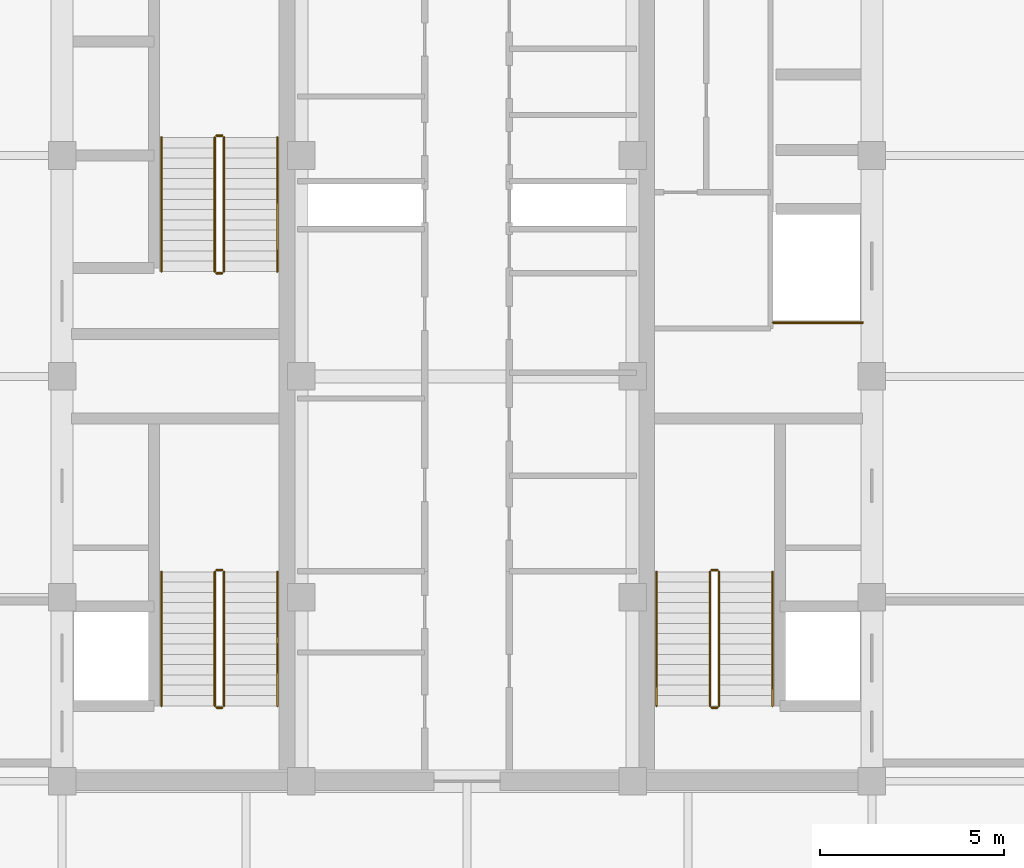
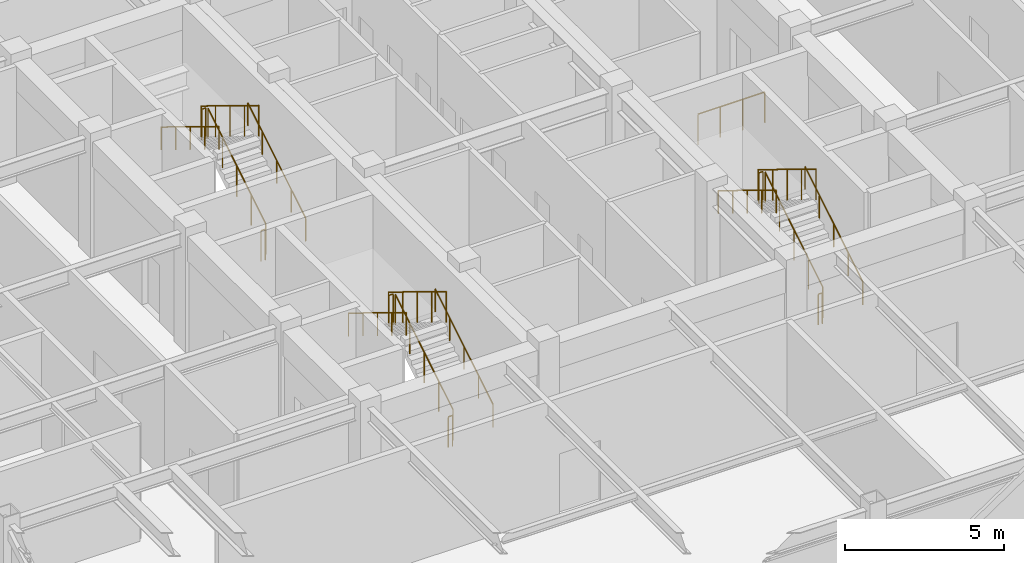
# One storey, part 27 of 27: 19 railings.
"""IFC4 building model written with IfcOpenShell, lengths in metres."""

from ifc_helpers import new_model, si_unit, direction, frame, origin, origin_2d, place, context, subcontext, project, spatial, circle, extrude, source, transform, mapped, material, type_object, element, save


model = new_model("IFC4")

# Units and contexts
model_context = context("Model", 3, precision=1e-05, world=origin(), true_north=direction((0.0, 1.0)))
body_context = subcontext(model_context, "Body", "Model", "MODEL_VIEW")
ifc_project = project(units=[si_unit("LENGTHUNIT", "METRE"), si_unit("AREAUNIT", "SQUARE_METRE"), si_unit("VOLUMEUNIT", "CUBIC_METRE"), si_unit("PLANEANGLEUNIT", "RADIAN"), si_unit("MASSUNIT", "GRAM", prefix="KILO")], contexts=[model_context])

# Site, building, storey
site_placement = place(None, origin())
site = spatial("IfcSite", under=ifc_project, at=site_placement, CompositionType="ELEMENT")
building_placement = place(site_placement, origin())
building = spatial("IfcBuilding", under=site, at=building_placement, Name="Khorayat Bourse Tower", CompositionType="ELEMENT")
storey_placement = place(building_placement, frame((0.0, 0.0, 394.699951171875)))
storey = spatial("IfcBuildingStorey", under=building, at=storey_placement, Name="L93", CompositionType="ELEMENT", Elevation=394.699951171875)

# Railings
ifc_material_1 = material(Name="Powder-coated steel balustrade", Category="steel")
railing_type_1 = type_object("IfcRailingType", Name="RLG-GUARD-1200", PredefinedType="GUARDRAIL", material=ifc_material_1)
shared_shape_1 = source(origin(), body_context, "Body", "SweptSolid", [
    extrude(circle(Radius=0.02392578125, at=origin_2d()), frame((0.0, 0.0, 1.17578125), z_axis=(-1.0, 0.0, 0.0), x_axis=(0.0, -1.0, 0.0)), (0.0, 0.0, 1.0), 0.150146484375),
    extrude(circle(Radius=0.02099609375, at=origin_2d()), origin(), (0.0, 0.0, 1.0), 1.15185546875),
    extrude(circle(Radius=0.02099609375, at=origin_2d()), frame((-0.150146484375, 0.0, 0.0)), (0.0, 0.0, 1.0), 1.15185546875),
])
for number, where, name in (
    (1, (-6.64990234375, -5.260009765625, 2.400146484375), "L93 ST-1 stair guard 2"),
    (2, (-6.64990234375, -9.0, 0.0), "L93 ST-1 stair guard 4"),
    (3, (-6.64990234375, 6.5400390625, 2.400146484375), "L93 ST-2 stair guard 2"),
    (4, (-6.64990234375, 2.800048828125, 0.0), "L93 ST-2 stair guard 4"),
    (5, (6.800048828125, -5.260009765625, 2.400146484375), "L93 ST-3 stair guard 2"),
    (6, (6.800048828125, -9.0, 0.0), "L93 ST-3 stair guard 4"),
):
    element("IfcRailing", number, at=place(storey_placement, frame(where)), inside=storey, type_object=railing_type_1, Name=name, PredefinedType="GUARDRAIL", context=body_context, shape_type="MappedRepresentation", body=[
        mapped(shared_shape_1, transform((0.0, 0.0, 0.0), scale=1.0)),
    ])
shared_shape_2 = source(origin(), body_context, "Body", "SweptSolid", [
    extrude(circle(Radius=0.02392578125, at=origin_2d()), frame((0.0, 0.0, 1.17578125), z_axis=(0.0, -0.852850264322, 0.5221555579), x_axis=(1.0, 0.0, 0.0)), (0.0, 0.0, 1.0), 4.267822265625),
    extrude(circle(Radius=0.02099609375, at=origin_2d()), origin(), (0.0, 0.0, 1.0), 1.15185546875),
    extrude(circle(Radius=0.02099609375, at=origin_2d()), frame((0.0, -0.909912109375, 0.55712890625)), (0.0, 0.0, 1.0), 1.15185546875),
    extrude(circle(Radius=0.02099609375, at=origin_2d()), frame((0.0, -1.81982421875, 1.1142578125)), (0.0, 0.0, 1.0), 1.15185546875),
    extrude(circle(Radius=0.02099609375, at=origin_2d()), frame((0.0, -2.72998046875, 1.67138671875)), (0.0, 0.0, 1.0), 1.15185546875),
    extrude(circle(Radius=0.02099609375, at=origin_2d()), frame((0.0, -3.639892578125, 2.228515625)), (0.0, 0.0, 1.0), 1.15185546875),
])
for number, where, name in (
    (7, (-6.85009765625, -5.31005859375, 2.571533203125), "L93 ST-1 stair guard 3"),
    (8, (-6.85009765625, 6.489990234375, 2.571533203125), "L93 ST-2 stair guard 3"),
    (9, (6.60009765625, -5.31005859375, 2.571533203125), "L93 ST-3 stair guard 3"),
):
    element("IfcRailing", number, at=place(storey_placement, frame(where)), inside=storey, type_object=railing_type_1, Name=name, PredefinedType="GUARDRAIL", context=body_context, shape_type="MappedRepresentation", body=[
        mapped(shared_shape_2, transform((0.0, 0.0, 0.0), scale=1.0)),
    ])
ifc_material_2 = material(Name="Brushed bronze stainless-steel handrail", Category="steel")
railing_type_2 = type_object("IfcRailingType", Name="RLG-HAND-900", PredefinedType="HANDRAIL", material=ifc_material_2)
shared_shape_3 = source(origin(), body_context, "Body", "SweptSolid", [
    extrude(circle(Radius=0.02392578125, at=origin_2d()), frame((0.0, 0.0, 0.8759765625), z_axis=(0.0, -0.852850264322, 0.5221555579), x_axis=(1.0, 0.0, 0.0)), (0.0, 0.0, 1.0), 4.267822265625),
    extrude(circle(Radius=0.02099609375, at=origin_2d()), origin(), (0.0, 0.0, 1.0), 0.851806640625),
    extrude(circle(Radius=0.02099609375, at=origin_2d()), frame((0.0, -0.909912109375, 0.55712890625)), (0.0, 0.0, 1.0), 0.851806640625),
    extrude(circle(Radius=0.02099609375, at=origin_2d()), frame((0.0, -1.81982421875, 1.1142578125)), (0.0, 0.0, 1.0), 0.851806640625),
    extrude(circle(Radius=0.02099609375, at=origin_2d()), frame((0.0, -2.72998046875, 1.67138671875)), (0.0, 0.0, 1.0), 0.851806640625),
    extrude(circle(Radius=0.02099609375, at=origin_2d()), frame((0.0, -3.639892578125, 2.228515625)), (0.0, 0.0, 1.0), 0.851806640625),
])
for number, where, name in (
    (10, (-8.300048828125, -5.31005859375, 2.571533203125), "L93 ST-1 stair handrail 2"),
    (11, (-8.300048828125, 6.489990234375, 2.571533203125), "L93 ST-2 stair handrail 2"),
    (12, (5.14990234375, -5.31005859375, 2.571533203125), "L93 ST-3 stair handrail 2"),
):
    element("IfcRailing", number, at=place(storey_placement, frame(where)), inside=storey, type_object=railing_type_2, Name=name, PredefinedType="HANDRAIL", context=body_context, shape_type="MappedRepresentation", body=[
        mapped(shared_shape_3, transform((0.0, 0.0, 0.0), scale=1.0)),
    ])
shared_shape_4 = source(origin(), body_context, "Body", "SweptSolid", [
    extrude(circle(Radius=0.02392578125, at=origin_2d()), frame((0.0, 0.0, 1.17578125), z_axis=(0.0, 0.852824790078, 0.522197163366), x_axis=(-1.0, 0.0, 0.0)), (0.0, 0.0, 1.0), 4.26806640625),
    extrude(circle(Radius=0.02099609375, at=origin_2d()), origin(), (0.0, 0.0, 1.0), 1.15185546875),
    extrude(circle(Radius=0.02099609375, at=origin_2d()), frame((0.0, 0.909912109375, 0.55712890625)), (0.0, 0.0, 1.0), 1.15185546875),
    extrude(circle(Radius=0.02099609375, at=origin_2d()), frame((0.0, 1.81982421875, 1.1142578125)), (0.0, 0.0, 1.0), 1.15185546875),
    extrude(circle(Radius=0.02099609375, at=origin_2d()), frame((0.0, 2.72998046875, 1.671630859375)), (0.0, 0.0, 1.0), 1.15185546875),
    extrude(circle(Radius=0.02099609375, at=origin_2d()), frame((0.0, 3.639892578125, 2.228759765625)), (0.0, 0.0, 1.0), 1.15185546875),
])
for number, where, name in (
    (13, (-6.60009765625, -8.949951171875, 0.17138671875), "L93 ST-1 stair guard 1"),
    (14, (-6.60009765625, 2.85009765625, 0.17138671875), "L93 ST-2 stair guard 1"),
    (15, (6.85009765625, -8.949951171875, 0.17138671875), "L93 ST-3 stair guard 1"),
):
    element("IfcRailing", number, at=place(storey_placement, frame(where)), inside=storey, type_object=railing_type_1, Name=name, PredefinedType="GUARDRAIL", context=body_context, shape_type="MappedRepresentation", body=[
        mapped(shared_shape_4, transform((0.0, 0.0, 0.0), scale=1.0)),
    ])
shared_shape_5 = source(origin(), body_context, "Body", "SweptSolid", [
    extrude(circle(Radius=0.02392578125, at=origin_2d()), frame((0.0, 0.0, 0.8759765625), z_axis=(0.0, 0.852824790078, 0.522197163366), x_axis=(-1.0, 0.0, 0.0)), (0.0, 0.0, 1.0), 4.26806640625),
    extrude(circle(Radius=0.02099609375, at=origin_2d()), origin(), (0.0, 0.0, 1.0), 0.851806640625),
    extrude(circle(Radius=0.02099609375, at=origin_2d()), frame((0.0, 0.909912109375, 0.55712890625)), (0.0, 0.0, 1.0), 0.851806640625),
    extrude(circle(Radius=0.02099609375, at=origin_2d()), frame((0.0, 1.81982421875, 1.1142578125)), (0.0, 0.0, 1.0), 0.851806640625),
    extrude(circle(Radius=0.02099609375, at=origin_2d()), frame((0.0, 2.72998046875, 1.671630859375)), (0.0, 0.0, 1.0), 0.851806640625),
    extrude(circle(Radius=0.02099609375, at=origin_2d()), frame((0.0, 3.639892578125, 2.228759765625)), (0.0, 0.0, 1.0), 0.851806640625),
])
for number, where, name in (
    (16, (-5.14990234375, -8.949951171875, 0.17138671875), "L93 ST-1 stair handrail 1"),
    (17, (-5.14990234375, 2.85009765625, 0.17138671875), "L93 ST-2 stair handrail 1"),
    (18, (8.300048828125, -8.949951171875, 0.17138671875), "L93 ST-3 stair handrail 1"),
):
    element("IfcRailing", number, at=place(storey_placement, frame(where)), inside=storey, type_object=railing_type_2, Name=name, PredefinedType="HANDRAIL", context=body_context, shape_type="MappedRepresentation", body=[
        mapped(shared_shape_5, transform((0.0, 0.0, 0.0), scale=1.0)),
    ])
shared_shape_6 = source(origin(), body_context, "Body", "SweptSolid", [
    extrude(circle(Radius=0.02392578125, at=origin_2d()), frame((0.0, 0.0, 1.17578125), z_axis=(1.0, 0.0, 0.0), x_axis=(0.0, 1.0, 0.0)), (0.0, 0.0, 1.0), 2.429931640625),
    extrude(circle(Radius=0.02099609375, at=origin_2d()), origin(), (0.0, 0.0, 1.0), 1.15185546875),
    extrude(circle(Radius=0.02099609375, at=origin_2d()), frame((0.81005859375, 0.0, 0.0)), (0.0, 0.0, 1.0), 1.15185546875),
    extrude(circle(Radius=0.02099609375, at=origin_2d()), frame((1.619873046875, 0.0, 0.0)), (0.0, 0.0, 1.0), 1.15185546875),
    extrude(circle(Radius=0.02099609375, at=origin_2d()), frame((2.429931640625, 0.0, 0.0)), (0.0, 0.0, 1.0), 1.15185546875),
])
railing_placement = place(storey_placement, frame((8.320068359375, 1.4599609375, 0.0)))
element("IfcRailing", 19, at=railing_placement, inside=storey, type_object=railing_type_1, Name="L93 Goods Shaft Opening Guardrail", PredefinedType="GUARDRAIL", context=body_context, shape_type="MappedRepresentation", body=[
    mapped(shared_shape_6, transform((0.0, 0.0, 0.0), scale=1.0)),
])

save(model, "model.ifc")
